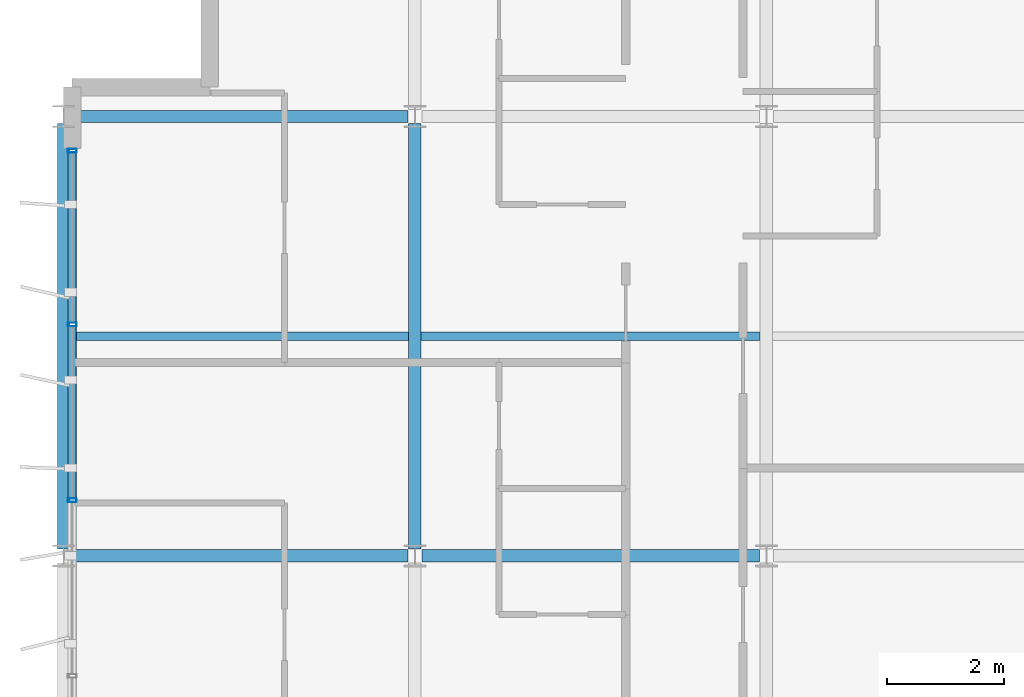
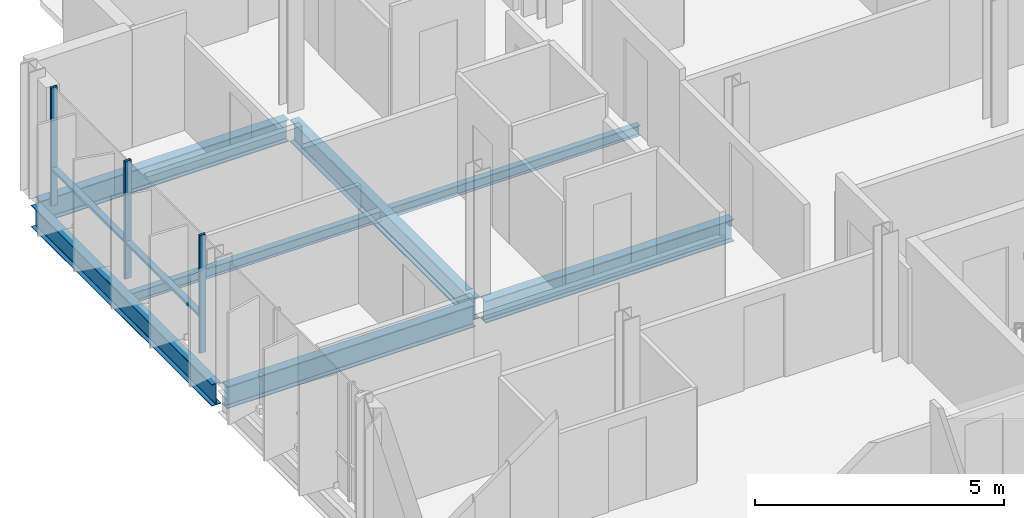
# One storey, part 6 of 30: 7 beams, 5 members, 1 element without a shape of its own.
"""IFC4 building model written with IfcOpenShell, lengths in metres."""

from ifc_helpers import new_model, si_unit, direction, frame, origin, origin_2d, place, context, subcontext, project, spatial, hollow_rectangle, i_section, extrude, material, layer, layer_set, material_profile, profile_set, type_object, element, aggregate, save


model = new_model("IFC4")

# Units and contexts
model_context = context("Model", 3, precision=1e-05, world=origin(), true_north=direction((0.0, 1.0)))
body_context = subcontext(model_context, "Body", "Model", "MODEL_VIEW")
ifc_project = project(units=[si_unit("LENGTHUNIT", "METRE"), si_unit("AREAUNIT", "SQUARE_METRE"), si_unit("VOLUMEUNIT", "CUBIC_METRE"), si_unit("PLANEANGLEUNIT", "RADIAN"), si_unit("MASSUNIT", "GRAM", prefix="KILO")], contexts=[model_context])

# Site, building, storey
site_placement = place(None, origin())
site = spatial("IfcSite", under=ifc_project, at=site_placement, CompositionType="ELEMENT")
building_placement = place(site_placement, origin())
building = spatial("IfcBuilding", under=site, at=building_placement, Name="Brevholm Reach", CompositionType="ELEMENT")
storey_placement = place(building_placement, frame((0.0, 0.0, 204.89990234375)))
storey = spatial("IfcBuildingStorey", under=building, at=storey_placement, Name="L62", CompositionType="ELEMENT", Elevation=204.89990234375)

# Beams
ifc_material_1 = material(Name="Structural Steel S355J2", Category="steel")
ifc_material_profile_1 = material_profile(ifc_material_1, i_section(OverallWidth=0.14599609375, OverallDepth=0.25146484375, WebThickness=0.006103515625, FlangeThickness=0.008544921875, FilletRadius=0.007568359375, at=origin_2d()), Name="UKB 254x146x31")
ifc_profile_set_1 = profile_set([ifc_material_profile_1], Name="Structural Steel S355J2")
beam_type_1 = type_object("IfcBeamType", Name="BM-B254", PredefinedType="BEAM", material=ifc_profile_set_1)
beam_1_placement = place(storey_placement, frame((0.104736328125, 19.75, -0.335693359375), z_axis=(1.0, 0.0, 0.0), x_axis=(0.0, 1.0, 0.0)))
element("IfcBeam", 1, at=beam_1_placement, inside=storey, type_object=beam_type_1, Name="L62 Composite Secondary Floor Beam", PredefinedType="BEAM", context=body_context, shape_type="SweptSolid", body=[
    extrude(i_section(OverallWidth=0.14599609375, OverallDepth=0.25146484375, WebThickness=0.006103515625, FlangeThickness=0.008544921875, FilletRadius=0.007568359375, at=origin_2d()), origin(), (0.0, 0.0, 1.0), 5.789794921875),
])
beam_2_placement = place(storey_placement, frame((6.10546875, 19.75, -0.335693359375), z_axis=(1.0, 0.0, 0.0), x_axis=(0.0, 1.0, 0.0)))
element("IfcBeam", 2, at=beam_2_placement, inside=storey, type_object=beam_type_1, Name="L62 Composite Secondary Floor Beam", PredefinedType="BEAM", context=body_context, shape_type="SweptSolid", body=[
    extrude(i_section(OverallWidth=0.14599609375, OverallDepth=0.25146484375, WebThickness=0.006103515625, FlangeThickness=0.008544921875, FilletRadius=0.007568359375, at=origin_2d()), origin(), (0.0, 0.0, 1.0), 5.7890625),
])
ifc_material_2 = material(Name="Structural Steel S355J2", Category="steel")
ifc_material_profile_2 = material_profile(ifc_material_2, i_section(OverallWidth=0.209228515625, OverallDepth=0.533203125, WebThickness=0.010009765625, FlangeThickness=0.015625, FilletRadius=0.0126953125, at=origin_2d()), Name="UKB 533x210x92")
ifc_profile_set_2 = profile_set([ifc_material_profile_2], Name="Structural Steel S355J2")
beam_type_2 = type_object("IfcBeamType", Name="BM-SP533", PredefinedType="SPANDREL", material=ifc_profile_set_2)
beam_3_placement = place(storey_placement, frame((0.0, 16.1201171875, -0.4765625), z_axis=(0.0, 1.0, 0.0), x_axis=(-1.0, 0.0, 0.0)))
element("IfcBeam", 3, at=beam_3_placement, inside=storey, type_object=beam_type_2, Name="L62 SP-02 Framing Beam", PredefinedType="SPANDREL", context=body_context, shape_type="SweptSolid", body=[
    extrude(i_section(OverallWidth=0.209228515625, OverallDepth=0.533203125, WebThickness=0.010009765625, FlangeThickness=0.015625, FilletRadius=0.0126953125, at=origin_2d()), origin(), (0.0, 0.0, 1.0), 7.259765625),
])
ifc_material_3 = material(Name="Structural Steel S355J2", Category="steel")
ifc_material_profile_3 = material_profile(ifc_material_3, i_section(OverallWidth=0.210693359375, OverallDepth=0.53955078125, WebThickness=0.01171875, FlangeThickness=0.018798828125, FilletRadius=0.0126953125, at=origin_2d()), Name="UKB 533x210x109")
ifc_profile_set_3 = profile_set([ifc_material_profile_3], Name="Structural Steel S355J2")
beam_type_3 = type_object("IfcBeamType", Name="BM-SP539", PredefinedType="SPANDREL", material=ifc_profile_set_3)
for number, where, z_axis, x_axis, name in (
    (4, (0.1201171875, 16.0, -0.479736328125), (1.0, 0.0, 0.0), (0.0, 1.0, 0.0), "L62 SP-01B Framing Beam"),
    (5, (6.1201171875, 16.0, -0.479736328125), (1.0, 0.0, 0.0), (0.0, 1.0, 0.0), "L62 SP-01B Framing Beam"),
    (6, (0.1201171875, 23.5, -0.479736328125), (1.0, 0.0, 0.0), (0.0, 1.0, 0.0), "L62 SP-01B Framing Beam"),
):
    element("IfcBeam", number, at=place(storey_placement, frame(where, z_axis=z_axis, x_axis=x_axis)), inside=storey, type_object=beam_type_3, Name=name, PredefinedType="SPANDREL", context=body_context, shape_type="SweptSolid", body=[
        extrude(i_section(OverallWidth=0.210693359375, OverallDepth=0.53955078125, WebThickness=0.01171875, FlangeThickness=0.018798828125, FilletRadius=0.0126953125, at=origin_2d()), origin(), (0.0, 0.0, 1.0), 5.759765625),
    ])
beam_4_placement = place(storey_placement, frame((6.0, 16.1201171875, -0.479736328125), z_axis=(0.0, 1.0, 0.0), x_axis=(-1.0, 0.0, 0.0)))
element("IfcBeam", 7, at=beam_4_placement, inside=storey, type_object=beam_type_3, Name="L62 SP-01B Framing Beam", PredefinedType="SPANDREL", context=body_context, shape_type="SweptSolid", body=[
    extrude(i_section(OverallWidth=0.210693359375, OverallDepth=0.53955078125, WebThickness=0.01171875, FlangeThickness=0.018798828125, FilletRadius=0.0126953125, at=origin_2d()), origin(), (0.0, 0.0, 1.0), 7.259765625),
])

# Curtain wall, members
ifc_material_4 = material(Name="Dark Anodised Aluminium 6063-T6 and Solar-Control Glass", Category="aluminium")
ifc_layer = layer(ifc_material_4, 0.14990234375)
ifc_layer_set = layer_set([ifc_layer], Name="Dark Anodised Aluminium 6063-T6 and Solar-Control Glass")
curtain_wall_type = type_object("IfcCurtainWallType", Name="CW-01", PredefinedType="NOTDEFINED", material=ifc_layer_set)
curtain_wall_placement = place(storey_placement, origin())
curtain_wall = element("IfcCurtainWall", 8, at=curtain_wall_placement, inside=storey, type_object=curtain_wall_type, Name="L62 Curtain Wall CW-01", PredefinedType="NOTDEFINED")
ifc_material_5 = material(Name="Dark Anodised Aluminium 6063-T6", Category="aluminium")
ifc_material_profile_4 = material_profile(ifc_material_5, hollow_rectangle(XDim=0.06494140625, YDim=0.14990234375, WallThickness=0.0048828125, InnerFilletRadius=0.0048828125, OuterFilletRadius=0.010009765625, at=origin_2d()), Name="RHS 150x65x5")
ifc_profile_set_4 = profile_set([ifc_material_profile_4], Name="Dark Anodised Aluminium 6063-T6")
member_type_1 = type_object("IfcMemberType", Name="CWM-150", PredefinedType="MULLION", material=ifc_profile_set_4)
member_1_placement = place(storey_placement, frame((0.14990234375, 22.91748046875, 0.0), z_axis=(0.0, 0.0, 1.0), x_axis=(0.0, -1.0, 0.0)))
member_1 = element("IfcMember", 9, at=member_1_placement, type_object=member_type_1, Name="CM-150 Mullion 1", PredefinedType="MULLION", context=body_context, shape_type="SweptSolid", body=[
    extrude(hollow_rectangle(XDim=0.06494140625, YDim=0.14990234375, WallThickness=0.0048828125, InnerFilletRadius=0.0048828125, OuterFilletRadius=0.010009765625, at=origin_2d()), origin(), (0.0, 0.0, 1.0), 2.89013671875),
])
member_2_placement = place(storey_placement, frame((0.14990234375, 19.949951171875, 0.0), z_axis=(0.0, 0.0, 1.0), x_axis=(0.0, -1.0, 0.0)))
member_2 = element("IfcMember", 10, at=member_2_placement, type_object=member_type_1, Name="CM-150 Mullion 2", PredefinedType="MULLION", context=body_context, shape_type="SweptSolid", body=[
    extrude(hollow_rectangle(XDim=0.06494140625, YDim=0.14990234375, WallThickness=0.0048828125, InnerFilletRadius=0.0048828125, OuterFilletRadius=0.010009765625, at=origin_2d()), origin(), (0.0, 0.0, 1.0), 2.89013671875),
])
member_3_placement = place(storey_placement, frame((0.14990234375, 16.949951171875, 0.0), z_axis=(0.0, 0.0, 1.0), x_axis=(0.0, -1.0, 0.0)))
member_3 = element("IfcMember", 11, at=member_3_placement, type_object=member_type_1, Name="CM-150 Mullion 3", PredefinedType="MULLION", context=body_context, shape_type="SweptSolid", body=[
    extrude(hollow_rectangle(XDim=0.06494140625, YDim=0.14990234375, WallThickness=0.0048828125, InnerFilletRadius=0.0048828125, OuterFilletRadius=0.010009765625, at=origin_2d()), origin(), (0.0, 0.0, 1.0), 2.89013671875),
])
ifc_material_6 = material(Name="Dark Anodised Aluminium 6063-T6", Category="aluminium")
ifc_material_profile_5 = material_profile(ifc_material_6, hollow_rectangle(XDim=0.06494140625, YDim=0.14990234375, WallThickness=0.0048828125, InnerFilletRadius=0.0048828125, OuterFilletRadius=0.010009765625, at=origin_2d()), Name="RHS 150x65x5")
ifc_profile_set_5 = profile_set([ifc_material_profile_5], Name="Dark Anodised Aluminium 6063-T6")
member_type_2 = type_object("IfcMemberType", Name="CWT-150", PredefinedType="NOTDEFINED", material=ifc_profile_set_5)
member_4_placement = place(storey_placement, frame((0.14990234375, 22.885009765625, 0.900146484375), z_axis=(0.0, -1.0, 0.0), x_axis=(0.0, 0.0, 1.0)))
member_4 = element("IfcMember", 12, at=member_4_placement, type_object=member_type_2, Name="CT-150 Transom 1.1", ObjectType="TRANSOM", PredefinedType="USERDEFINED", context=body_context, shape_type="SweptSolid", body=[
    extrude(hollow_rectangle(XDim=0.06494140625, YDim=0.14990234375, WallThickness=0.0048828125, InnerFilletRadius=0.0048828125, OuterFilletRadius=0.010009765625, at=origin_2d()), origin(), (0.0, 0.0, 1.0), 2.902587890625),
])
member_5_placement = place(storey_placement, frame((0.14990234375, 19.91748046875, 0.900146484375), z_axis=(0.0, -1.0, 0.0), x_axis=(0.0, 0.0, 1.0)))
member_5 = element("IfcMember", 13, at=member_5_placement, type_object=member_type_2, Name="CT-150 Transom 2.1", ObjectType="TRANSOM", PredefinedType="USERDEFINED", context=body_context, shape_type="SweptSolid", body=[
    extrude(hollow_rectangle(XDim=0.06494140625, YDim=0.14990234375, WallThickness=0.0048828125, InnerFilletRadius=0.0048828125, OuterFilletRadius=0.010009765625, at=origin_2d()), origin(), (0.0, 0.0, 1.0), 2.93505859375),
])
aggregate(curtain_wall, [member_1, member_2, member_3, member_4, member_5])

save(model, "model.ifc")
